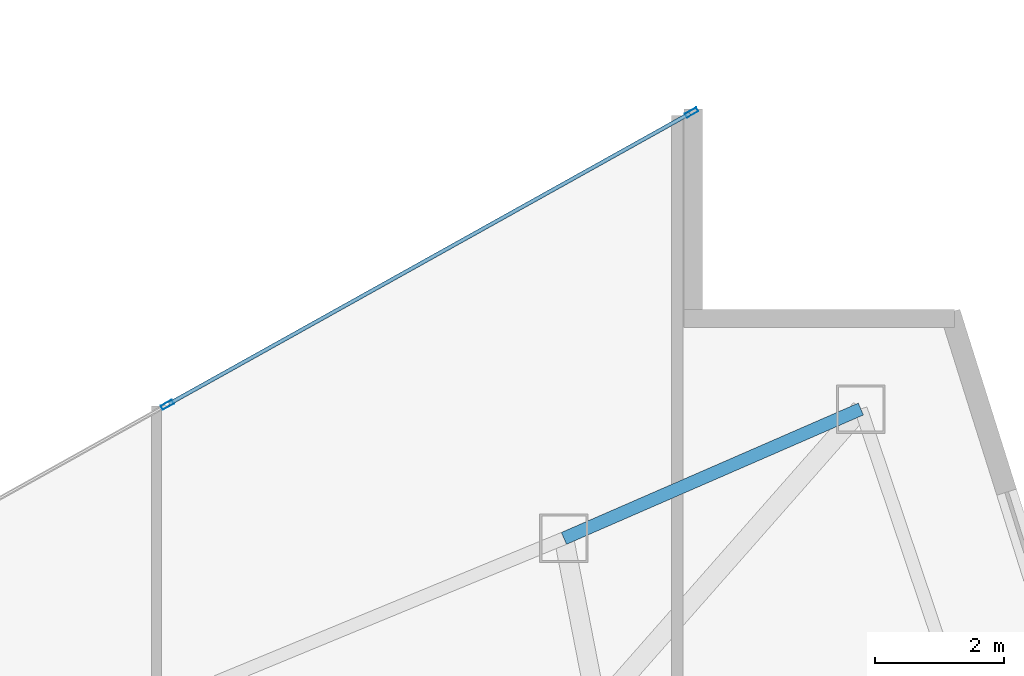
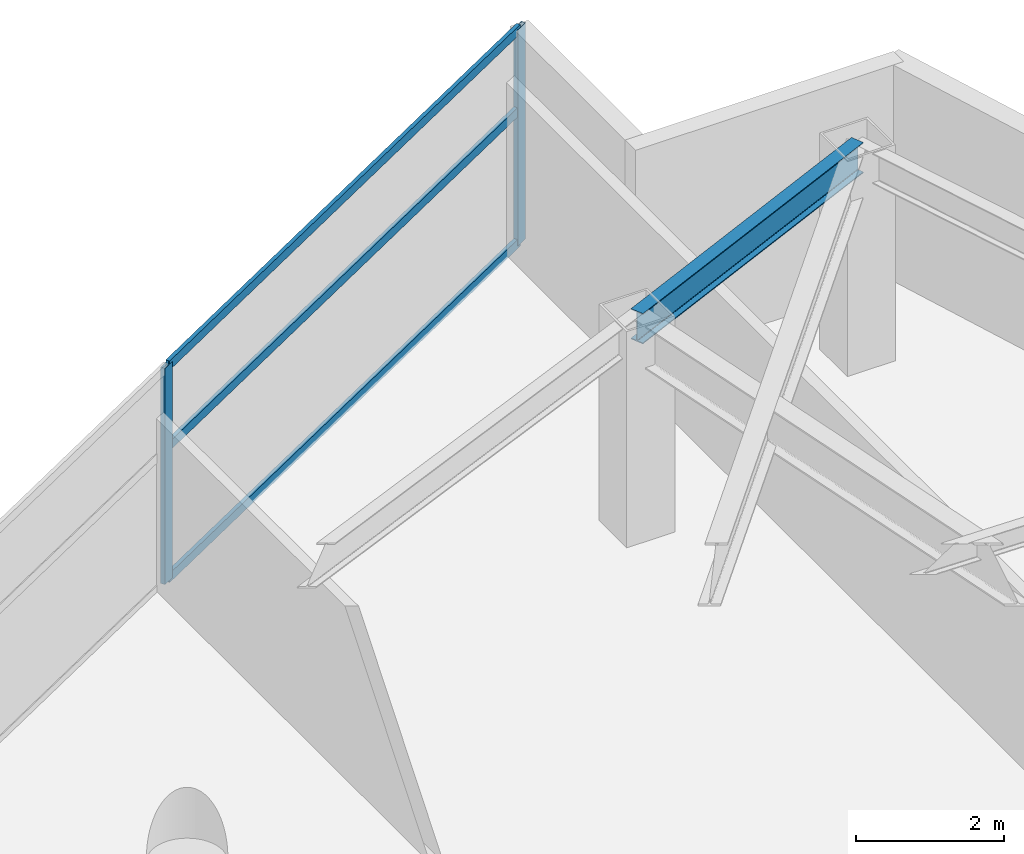
# One storey, part 20 of 28: 5 members, 1 beam, 1 element without a shape of its own.
"""IFC4 building model written with IfcOpenShell, lengths in metres."""

import ifcopenshell
import ifcopenshell.guid

model = None  # the IFC model being written
_history = None  # IfcOwnerHistory: only IFC2X3 demands one
_inside = {}  # id of a spatial element -> (the spatial element, [elements in it])
_under = {}  # id of a project, library or spatial element -> (it, [spatial elements below it])
_declared = {}  # id of a project -> (the project, [libraries it declares])
_typed = {}  # id of a type object -> (the type object, [elements of that type])
_made_of = {}  # id of a material, layer set ... -> (it, [elements and type objects made of it])


def new_model(schema):
    """Start an empty IFC model of exactly this schema.

    Asked for "IFC4X3", IfcOpenShell would pick the latest addendum, in which some entities
    have other attributes; the version numbers below select the first issue.
    IFC2X3 requires an IfcOwnerHistory on every rooted entity: one is made here for all.
    """
    global model, _history
    if schema == "IFC4X3":
        model = ifcopenshell.file(schema_version=(4, 3, 0, 0))
    else:
        model = ifcopenshell.file(schema=schema)
    _inside.clear()
    _under.clear()
    _declared.clear()
    _typed.clear()
    _made_of.clear()
    _history = None
    if model.schema == "IFC2X3":
        org = make("IfcOrganization", Name="unknown")
        user = make(
            "IfcPersonAndOrganization",
            ThePerson=make("IfcPerson", FamilyName="unknown"),
            TheOrganization=org,
        )
        app = make(
            "IfcApplication",
            ApplicationDeveloper=org,
            Version="unknown",
            ApplicationFullName="unknown",
            ApplicationIdentifier="unknown",
        )
        _history = make(
            "IfcOwnerHistory",
            OwningUser=user,
            OwningApplication=app,
            ChangeAction="ADDED",
            CreationDate=0,
        )
    return model


def make(cls, **values):
    """One entity of the class cls with the attributes given. An attribute that is None is left unset."""
    return model.create_entity(
        cls, **{name: value for name, value in values.items() if value is not None}
    )


def rooted(cls, **values):
    """An entity with a GlobalId (a new one), such as an element, a storey or a relation."""
    return make(cls, GlobalId=ifcopenshell.guid.new(), OwnerHistory=_history, **values)


def si_unit(unit_type, name, prefix=None):
    """IfcSIUnit, for example si_unit("LENGTHUNIT", "METRE", prefix="MILLI")."""
    return make("IfcSIUnit", UnitType=unit_type, Prefix=prefix, Name=name)


def assignment(units):
    """IfcUnitAssignment: the units of a project."""
    return None if units is None else make("IfcUnitAssignment", Units=units)


def point(xyz):
    """IfcCartesianPoint."""
    return None if xyz is None else make("IfcCartesianPoint", Coordinates=xyz)


def direction(xyz):
    """IfcDirection."""
    return None if xyz is None else make("IfcDirection", DirectionRatios=xyz)


def frame(location, z_axis=None, x_axis=None):
    """IfcAxis2Placement3D, a coordinate frame: its origin and axes. An axis left out is left unset."""
    return make(
        "IfcAxis2Placement3D",
        Location=point(location),
        Axis=direction(z_axis),
        RefDirection=direction(x_axis),
    )


def frame_2d(location, x_axis=None):
    """IfcAxis2Placement2D, a coordinate frame in the plane: its origin and x axis."""
    return make(
        "IfcAxis2Placement2D", Location=point(location), RefDirection=direction(x_axis)
    )


def origin():
    """The frame at (0, 0, 0) with its axes left unset."""
    return frame((0.0, 0.0, 0.0))


def origin_2d():
    """The frame at (0, 0) in the plane with its x axis left unset."""
    return frame_2d((0.0, 0.0))


def place(relative_to, where):
    """IfcLocalPlacement: puts the frame where relative to a parent placement (None: the world)."""
    return make(
        "IfcLocalPlacement", PlacementRelTo=relative_to, RelativePlacement=where
    )


def context(
    kind, dimensions, precision=None, world=None, true_north=None, identifier=None
):
    """IfcGeometricRepresentationContext, for example the 3D "Model" context."""
    return make(
        "IfcGeometricRepresentationContext",
        ContextIdentifier=identifier,
        ContextType=kind,
        CoordinateSpaceDimension=dimensions,
        Precision=precision,
        WorldCoordinateSystem=world,
        TrueNorth=true_north,
    )


def subcontext(parent, identifier, kind, view, scale=None):
    """IfcGeometricRepresentationSubContext, for example "Body" below "Model"."""
    return make(
        "IfcGeometricRepresentationSubContext",
        ContextIdentifier=identifier,
        ContextType=kind,
        ParentContext=parent,
        TargetScale=scale,
        TargetView=view,
    )


def project(units=None, contexts=None):
    """IfcProject with its units and contexts."""
    return rooted(
        "IfcProject",
        Name="project",
        RepresentationContexts=contexts,
        UnitsInContext=assignment(units),
    )


def spatial(cls, under=None, at=None, **own):
    """A site, building, storey or space (cls), placed at a placement, below another one or the project."""
    s = rooted(cls, ObjectPlacement=at, **own)
    if under is not None:
        _under.setdefault(under.id(), (under, []))[1].append(s)
    return s


def profile(cls, at=None, kind="AREA", **sizes):
    """A parametric profile (cls). Its sizes go by their IFC names, for example OverallWidth=200.0."""
    return make(cls, ProfileType=kind, Position=at, **sizes)


def hollow_rectangle(**sizes):
    """IfcRectangleHollowProfileDef."""
    return profile("IfcRectangleHollowProfileDef", **sizes)


def i_section(**sizes):
    """IfcIShapeProfileDef."""
    return profile("IfcIShapeProfileDef", **sizes)


def extrude(swept, where, along, depth):
    """IfcExtrudedAreaSolid: the profile swept, set in the frame where, extruded along a direction by depth."""
    return make(
        "IfcExtrudedAreaSolid",
        SweptArea=swept,
        Position=where,
        ExtrudedDirection=direction(along),
        Depth=depth,
    )


def shape(context_of_items, identifier, shape_type, items):
    """IfcShapeRepresentation: the items that make up one representation, for example the "Body"."""
    return make(
        "IfcShapeRepresentation",
        ContextOfItems=context_of_items,
        RepresentationIdentifier=identifier,
        RepresentationType=shape_type,
        Items=items,
    )


def material(Name=None, Category=None):
    """IfcMaterial."""
    return make("IfcMaterial", Name=Name, Category=Category)


def layer(
    of_material, thickness, ventilated=None, Name=None, Category=None, Priority=None
):
    """IfcMaterialLayer: one layer of a wall or slab, of a material (None: an air gap)."""
    return make(
        "IfcMaterialLayer",
        Material=of_material,
        LayerThickness=thickness,
        IsVentilated=ventilated,
        Name=Name,
        Category=Category,
        Priority=Priority,
    )


def layer_set(layers, Name=None):
    """IfcMaterialLayerSet."""
    return make("IfcMaterialLayerSet", MaterialLayers=layers, LayerSetName=Name)


def material_profile(
    of_material, cross_section, Name=None, Category=None, Priority=None
):
    """IfcMaterialProfile: a cross section and its material."""
    return make(
        "IfcMaterialProfile",
        Name=Name,
        Material=of_material,
        Profile=cross_section,
        Priority=Priority,
        Category=Category,
    )


def profile_set(profiles, Name=None, composite=None):
    """IfcMaterialProfileSet."""
    return make(
        "IfcMaterialProfileSet",
        Name=Name,
        MaterialProfiles=profiles,
        CompositeProfile=composite,
    )


def made_of(thing, what):
    """Note that an element or type object is made of a material, layer set ...; save() writes the relation."""
    if what is not None:
        _made_of.setdefault(what.id(), (what, []))[1].append(thing)
    return thing


def type_object(cls, material=None, **own):
    """A type object (cls), such as IfcWallType, which elements share."""
    return made_of(rooted(cls, **own), material)


def element(
    cls,
    number,
    at=None,
    inside=None,
    cuts=None,
    type_object=None,
    material=None,
    context=None,
    identifier="Body",
    shape_type=None,
    held_by="IfcProductDefinitionShape",
    body=None,
    shapes=None,
    **own,
):
    """One element of the class cls, such as IfcWall. Its Tag is "e" and its number.

    at: its placement. inside: the storey or other place that contains it. cuts: it is an
    opening in that element (IfcRelVoidsElement). A single representation is given by context,
    identifier, shape_type and body (its items); several are given by shapes. held_by: the class
    of the entity that holds the representations. save() writes the other relations.
    """
    e = rooted(cls, Tag="e%d" % number, ObjectPlacement=at, **own)
    if body is not None:
        shapes = [shape(context, identifier, shape_type, body)]
    if shapes is not None:
        e.Representation = make(held_by, Representations=shapes)
    if inside is not None:
        _inside.setdefault(inside.id(), (inside, []))[1].append(e)
    if cuts is not None:
        rooted(
            "IfcRelVoidsElement", RelatingBuildingElement=cuts, RelatedOpeningElement=e
        )
    if type_object is not None:
        _typed.setdefault(type_object.id(), (type_object, []))[1].append(e)
    return made_of(e, material)


def aggregate(whole, parts):
    """IfcRelAggregates: a whole, such as a stair, and the parts it consists of."""
    return rooted("IfcRelAggregates", RelatingObject=whole, RelatedObjects=parts)


def save(model, path):
    """Write the relations noted so far, then the file.

    IfcRelAggregates (storeys below a building ...), IfcRelContainedInSpatialStructure (elements
    in a storey), IfcRelDefinesByType, IfcRelAssociatesMaterial and IfcRelDeclares: one each for
    every whole, place, type object, material and project.
    """
    for whole, parts in _under.values():
        aggregate(whole, parts)
    for where, things in _inside.values():
        rooted(
            "IfcRelContainedInSpatialStructure",
            RelatedElements=things,
            RelatingStructure=where,
        )
    for kind, things in _typed.values():
        rooted("IfcRelDefinesByType", RelatedObjects=things, RelatingType=kind)
    for what, things in _made_of.values():
        rooted("IfcRelAssociatesMaterial", RelatedObjects=things, RelatingMaterial=what)
    for by, libraries in _declared.values():
        rooted("IfcRelDeclares", RelatingContext=by, RelatedDefinitions=libraries)
    model.write(path)


model = new_model("IFC4")

# Units and contexts
model_context = context("Model", 3, precision=1e-05, world=origin(), true_north=direction((0.0, 1.0)))
body_context = subcontext(model_context, "Body", "Model", "MODEL_VIEW")
ifc_project = project(units=[si_unit("LENGTHUNIT", "METRE"), si_unit("AREAUNIT", "SQUARE_METRE"), si_unit("VOLUMEUNIT", "CUBIC_METRE"), si_unit("PLANEANGLEUNIT", "RADIAN"), si_unit("MASSUNIT", "GRAM", prefix="KILO")], contexts=[model_context])

# Site, building, storey
site_placement = place(None, origin())
site = spatial("IfcSite", under=ifc_project, at=site_placement, CompositionType="ELEMENT")
building_placement = place(site_placement, origin())
building = spatial("IfcBuilding", under=site, at=building_placement, Name="Calvorn Quay Hotel", CompositionType="ELEMENT")
storey_placement = place(building_placement, frame((0.0, 0.0, 101.199951171875)))
storey = spatial("IfcBuildingStorey", under=building, at=storey_placement, Name="L24", CompositionType="ELEMENT", Elevation=101.199951171875)

# Beam
ifc_material_1 = material(Name="Steel Q355B", Category="steel")
ifc_material_profile_1 = material_profile(ifc_material_1, i_section(OverallWidth=0.199951171875, OverallDepth=0.5, WebThickness=0.010009765625, FlangeThickness=0.01611328125, FilletRadius=0.01611328125, at=origin_2d()), Name="HN500x200x10x16")
ifc_profile_set_1 = profile_set([ifc_material_profile_1], Name="Steel Q355B")
beam_type = type_object("IfcBeamType", Name="BM-SPANDREL-Z1", PredefinedType="SPANDREL", material=ifc_profile_set_1)
beam_placement = place(storey_placement, frame((48.591064453125, 33.39990234375, 3.2900390625), z_axis=(-0.916786146489, -0.399378469132, 0.0), x_axis=(0.399378469132, -0.916786146489, 0.0)))
element("IfcBeam", 1, at=beam_placement, inside=storey, type_object=beam_type, Name="Beam BSP-L24-E3", PredefinedType="SPANDREL", context=body_context, shape_type="SweptSolid", body=[
    extrude(i_section(OverallWidth=0.199951171875, OverallDepth=0.5, WebThickness=0.010009765625, FlangeThickness=0.01611328125, FilletRadius=0.01611328125, at=origin_2d()), origin(), (0.0, 0.0, 1.0), 5.0078125),
])

# Curtain wall, members
ifc_material_2 = material(Name="Pale Anodised Aluminium and Low-E Glass", Category="aluminium")
ifc_layer = layer(ifc_material_2, 0.219970703125)
ifc_layer_set = layer_set([ifc_layer], Name="CW-SYS-Z2")
curtain_wall_type = type_object("IfcCurtainWallType", Name="CW-SYS-Z2", PredefinedType="NOTDEFINED", material=ifc_layer_set)
curtain_wall_placement = place(storey_placement, origin())
curtain_wall = element("IfcCurtainWall", 2, at=curtain_wall_placement, inside=storey, type_object=curtain_wall_type, Name="Inner Court Curtain Wall L24-NE1", PredefinedType="NOTDEFINED")
ifc_material_3 = material(Name="Pale Anodised Aluminium 6063-T6", Category="aluminium")
ifc_material_profile_2 = material_profile(ifc_material_3, hollow_rectangle(XDim=0.070068359375, YDim=0.199951171875, WallThickness=0.00390625, at=origin_2d()), Name="ALU-M200x70x4")
ifc_profile_set_2 = profile_set([ifc_material_profile_2], Name="Pale Anodised Aluminium 6063-T6")
member_type_1 = type_object("IfcMemberType", Name="CW-SYS-Z2-MUL", PredefinedType="MULLION", material=ifc_profile_set_2)
member_1_placement = place(storey_placement, frame((45.973876953125, 37.9853515625, 0.0), z_axis=(0.0, 0.0, 1.0), x_axis=(0.486858256224, -0.873480989116, 0.0)))
member_1 = element("IfcMember", 3, at=member_1_placement, type_object=member_type_1, Name="CW-L24-NE1 mullion 1", PredefinedType="MULLION", context=body_context, shape_type="SweptSolid", body=[
    extrude(hollow_rectangle(XDim=0.070068359375, YDim=0.199951171875, WallThickness=0.00390625, at=origin_2d()), origin(), (0.0, 0.0, 1.0), 3.56005859375),
])
member_2_placement = place(storey_placement, frame((37.86669921875, 33.466552734375, 0.0), z_axis=(0.0, 0.0, 1.0), x_axis=(0.486858256224, -0.873480989116, 0.0)))
member_2 = element("IfcMember", 4, at=member_2_placement, type_object=member_type_1, Name="CW-L24-NE1 mullion 2", PredefinedType="MULLION", context=body_context, shape_type="SweptSolid", body=[
    extrude(hollow_rectangle(XDim=0.070068359375, YDim=0.199951171875, WallThickness=0.00390625, at=origin_2d()), origin(), (0.0, 0.0, 1.0), 3.56005859375),
])
ifc_material_4 = material(Name="Pale Anodised Aluminium 6063-T6", Category="aluminium")
ifc_material_profile_3 = material_profile(ifc_material_4, hollow_rectangle(XDim=0.06005859375, YDim=0.14990234375, WallThickness=0.00341796875, at=origin_2d()), Name="ALU-T150x60x3.5")
ifc_profile_set_3 = profile_set([ifc_material_profile_3], Name="Pale Anodised Aluminium 6063-T6")
member_type_2 = type_object("IfcMemberType", Name="CW-SYS-Z2-TRN", PredefinedType="USERDEFINED", material=ifc_profile_set_3)
member_3_placement = place(storey_placement, frame((45.947509765625, 37.970703125, 0.030029296875), z_axis=(-0.87348080454, -0.486858587375, 0.0), x_axis=(0.486858587375, -0.87348080454, 0.0)))
member_3 = element("IfcMember", 5, at=member_3_placement, type_object=member_type_2, Name="CW-L24-NE1 transom 1.1", ObjectType="TRANSOM", PredefinedType="USERDEFINED", context=body_context, shape_type="SweptSolid", body=[
    extrude(hollow_rectangle(XDim=0.06005859375, YDim=0.14990234375, WallThickness=0.00341796875, at=origin_2d()), origin(), (0.0, 0.0, 1.0), 9.221435546875),
])
member_4_placement = place(storey_placement, frame((45.947509765625, 37.970703125, 2.199951171875), z_axis=(-0.87348080454, -0.486858587375, 0.0), x_axis=(0.486858587375, -0.87348080454, 0.0)))
member_4 = element("IfcMember", 6, at=member_4_placement, type_object=member_type_2, Name="CW-L24-NE1 transom 1.2", ObjectType="TRANSOM", PredefinedType="USERDEFINED", context=body_context, shape_type="SweptSolid", body=[
    extrude(hollow_rectangle(XDim=0.06005859375, YDim=0.14990234375, WallThickness=0.00341796875, at=origin_2d()), origin(), (0.0, 0.0, 1.0), 9.221435546875),
])
member_5_placement = place(storey_placement, frame((45.947509765625, 37.970703125, 3.530029296875), z_axis=(-0.87348080454, -0.486858587375, 0.0), x_axis=(0.486858587375, -0.87348080454, 0.0)))
member_5 = element("IfcMember", 7, at=member_5_placement, type_object=member_type_2, Name="CW-L24-NE1 transom 1.3", ObjectType="TRANSOM", PredefinedType="USERDEFINED", context=body_context, shape_type="SweptSolid", body=[
    extrude(hollow_rectangle(XDim=0.06005859375, YDim=0.14990234375, WallThickness=0.00341796875, at=origin_2d()), origin(), (0.0, 0.0, 1.0), 9.221435546875),
])
aggregate(curtain_wall, [member_1, member_2, member_3, member_4, member_5])

save(model, "model.ifc")
